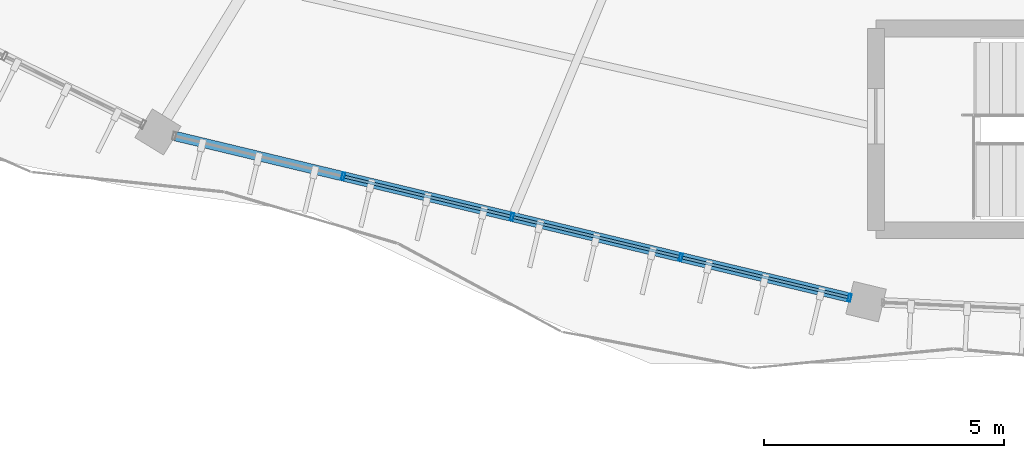
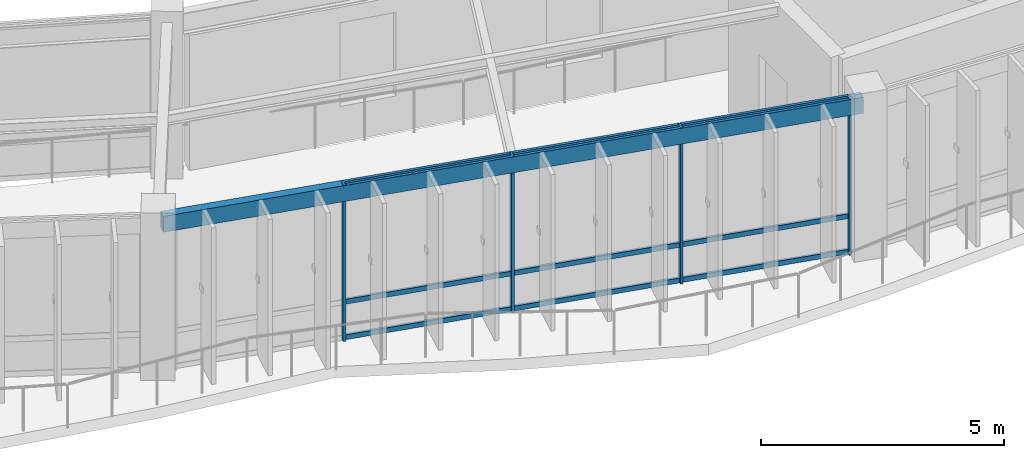
# One storey, part 25 of 138: 13 members, 1 beam, 1 element without a shape of its own.
"""IFC4 building model written with IfcOpenShell, lengths in metres."""

import ifcopenshell
import ifcopenshell.guid

model = None  # the IFC model being written
_history = None  # IfcOwnerHistory: only IFC2X3 demands one
_inside = {}  # id of a spatial element -> (the spatial element, [elements in it])
_under = {}  # id of a project, library or spatial element -> (it, [spatial elements below it])
_declared = {}  # id of a project -> (the project, [libraries it declares])
_typed = {}  # id of a type object -> (the type object, [elements of that type])
_made_of = {}  # id of a material, layer set ... -> (it, [elements and type objects made of it])


def new_model(schema):
    """Start an empty IFC model of exactly this schema.

    Asked for "IFC4X3", IfcOpenShell would pick the latest addendum, in which some entities
    have other attributes; the version numbers below select the first issue.
    IFC2X3 requires an IfcOwnerHistory on every rooted entity: one is made here for all.
    """
    global model, _history
    if schema == "IFC4X3":
        model = ifcopenshell.file(schema_version=(4, 3, 0, 0))
    else:
        model = ifcopenshell.file(schema=schema)
    _inside.clear()
    _under.clear()
    _declared.clear()
    _typed.clear()
    _made_of.clear()
    _history = None
    if model.schema == "IFC2X3":
        org = make("IfcOrganization", Name="unknown")
        user = make(
            "IfcPersonAndOrganization",
            ThePerson=make("IfcPerson", FamilyName="unknown"),
            TheOrganization=org,
        )
        app = make(
            "IfcApplication",
            ApplicationDeveloper=org,
            Version="unknown",
            ApplicationFullName="unknown",
            ApplicationIdentifier="unknown",
        )
        _history = make(
            "IfcOwnerHistory",
            OwningUser=user,
            OwningApplication=app,
            ChangeAction="ADDED",
            CreationDate=0,
        )
    return model


def make(cls, **values):
    """One entity of the class cls with the attributes given. An attribute that is None is left unset."""
    return model.create_entity(
        cls, **{name: value for name, value in values.items() if value is not None}
    )


def rooted(cls, **values):
    """An entity with a GlobalId (a new one), such as an element, a storey or a relation."""
    return make(cls, GlobalId=ifcopenshell.guid.new(), OwnerHistory=_history, **values)


def si_unit(unit_type, name, prefix=None):
    """IfcSIUnit, for example si_unit("LENGTHUNIT", "METRE", prefix="MILLI")."""
    return make("IfcSIUnit", UnitType=unit_type, Prefix=prefix, Name=name)


def assignment(units):
    """IfcUnitAssignment: the units of a project."""
    return None if units is None else make("IfcUnitAssignment", Units=units)


def point(xyz):
    """IfcCartesianPoint."""
    return None if xyz is None else make("IfcCartesianPoint", Coordinates=xyz)


def direction(xyz):
    """IfcDirection."""
    return None if xyz is None else make("IfcDirection", DirectionRatios=xyz)


def frame(location, z_axis=None, x_axis=None):
    """IfcAxis2Placement3D, a coordinate frame: its origin and axes. An axis left out is left unset."""
    return make(
        "IfcAxis2Placement3D",
        Location=point(location),
        Axis=direction(z_axis),
        RefDirection=direction(x_axis),
    )


def frame_2d(location, x_axis=None):
    """IfcAxis2Placement2D, a coordinate frame in the plane: its origin and x axis."""
    return make(
        "IfcAxis2Placement2D", Location=point(location), RefDirection=direction(x_axis)
    )


def origin():
    """The frame at (0, 0, 0) with its axes left unset."""
    return frame((0.0, 0.0, 0.0))


def origin_2d():
    """The frame at (0, 0) in the plane with its x axis left unset."""
    return frame_2d((0.0, 0.0))


def place(relative_to, where):
    """IfcLocalPlacement: puts the frame where relative to a parent placement (None: the world)."""
    return make(
        "IfcLocalPlacement", PlacementRelTo=relative_to, RelativePlacement=where
    )


def context(
    kind, dimensions, precision=None, world=None, true_north=None, identifier=None
):
    """IfcGeometricRepresentationContext, for example the 3D "Model" context."""
    return make(
        "IfcGeometricRepresentationContext",
        ContextIdentifier=identifier,
        ContextType=kind,
        CoordinateSpaceDimension=dimensions,
        Precision=precision,
        WorldCoordinateSystem=world,
        TrueNorth=true_north,
    )


def subcontext(parent, identifier, kind, view, scale=None):
    """IfcGeometricRepresentationSubContext, for example "Body" below "Model"."""
    return make(
        "IfcGeometricRepresentationSubContext",
        ContextIdentifier=identifier,
        ContextType=kind,
        ParentContext=parent,
        TargetScale=scale,
        TargetView=view,
    )


def project(units=None, contexts=None):
    """IfcProject with its units and contexts."""
    return rooted(
        "IfcProject",
        Name="project",
        RepresentationContexts=contexts,
        UnitsInContext=assignment(units),
    )


def spatial(cls, under=None, at=None, **own):
    """A site, building, storey or space (cls), placed at a placement, below another one or the project."""
    s = rooted(cls, ObjectPlacement=at, **own)
    if under is not None:
        _under.setdefault(under.id(), (under, []))[1].append(s)
    return s


def profile(cls, at=None, kind="AREA", **sizes):
    """A parametric profile (cls). Its sizes go by their IFC names, for example OverallWidth=200.0."""
    return make(cls, ProfileType=kind, Position=at, **sizes)


def hollow_rectangle(**sizes):
    """IfcRectangleHollowProfileDef."""
    return profile("IfcRectangleHollowProfileDef", **sizes)


def extrude(swept, where, along, depth):
    """IfcExtrudedAreaSolid: the profile swept, set in the frame where, extruded along a direction by depth."""
    return make(
        "IfcExtrudedAreaSolid",
        SweptArea=swept,
        Position=where,
        ExtrudedDirection=direction(along),
        Depth=depth,
    )


def shape(context_of_items, identifier, shape_type, items):
    """IfcShapeRepresentation: the items that make up one representation, for example the "Body"."""
    return make(
        "IfcShapeRepresentation",
        ContextOfItems=context_of_items,
        RepresentationIdentifier=identifier,
        RepresentationType=shape_type,
        Items=items,
    )


def material(Name=None, Category=None):
    """IfcMaterial."""
    return make("IfcMaterial", Name=Name, Category=Category)


def material_profile(
    of_material, cross_section, Name=None, Category=None, Priority=None
):
    """IfcMaterialProfile: a cross section and its material."""
    return make(
        "IfcMaterialProfile",
        Name=Name,
        Material=of_material,
        Profile=cross_section,
        Priority=Priority,
        Category=Category,
    )


def profile_set(profiles, Name=None, composite=None):
    """IfcMaterialProfileSet."""
    return make(
        "IfcMaterialProfileSet",
        Name=Name,
        MaterialProfiles=profiles,
        CompositeProfile=composite,
    )


def made_of(thing, what):
    """Note that an element or type object is made of a material, layer set ...; save() writes the relation."""
    if what is not None:
        _made_of.setdefault(what.id(), (what, []))[1].append(thing)
    return thing


def type_object(cls, material=None, **own):
    """A type object (cls), such as IfcWallType, which elements share."""
    return made_of(rooted(cls, **own), material)


def element(
    cls,
    number,
    at=None,
    inside=None,
    cuts=None,
    type_object=None,
    material=None,
    context=None,
    identifier="Body",
    shape_type=None,
    held_by="IfcProductDefinitionShape",
    body=None,
    shapes=None,
    **own,
):
    """One element of the class cls, such as IfcWall. Its Tag is "e" and its number.

    at: its placement. inside: the storey or other place that contains it. cuts: it is an
    opening in that element (IfcRelVoidsElement). A single representation is given by context,
    identifier, shape_type and body (its items); several are given by shapes. held_by: the class
    of the entity that holds the representations. save() writes the other relations.
    """
    e = rooted(cls, Tag="e%d" % number, ObjectPlacement=at, **own)
    if body is not None:
        shapes = [shape(context, identifier, shape_type, body)]
    if shapes is not None:
        e.Representation = make(held_by, Representations=shapes)
    if inside is not None:
        _inside.setdefault(inside.id(), (inside, []))[1].append(e)
    if cuts is not None:
        rooted(
            "IfcRelVoidsElement", RelatingBuildingElement=cuts, RelatedOpeningElement=e
        )
    if type_object is not None:
        _typed.setdefault(type_object.id(), (type_object, []))[1].append(e)
    return made_of(e, material)


def aggregate(whole, parts):
    """IfcRelAggregates: a whole, such as a stair, and the parts it consists of."""
    return rooted("IfcRelAggregates", RelatingObject=whole, RelatedObjects=parts)


def save(model, path):
    """Write the relations noted so far, then the file.

    IfcRelAggregates (storeys below a building ...), IfcRelContainedInSpatialStructure (elements
    in a storey), IfcRelDefinesByType, IfcRelAssociatesMaterial and IfcRelDeclares: one each for
    every whole, place, type object, material and project.
    """
    for whole, parts in _under.values():
        aggregate(whole, parts)
    for where, things in _inside.values():
        rooted(
            "IfcRelContainedInSpatialStructure",
            RelatedElements=things,
            RelatingStructure=where,
        )
    for kind, things in _typed.values():
        rooted("IfcRelDefinesByType", RelatedObjects=things, RelatingType=kind)
    for what, things in _made_of.values():
        rooted("IfcRelAssociatesMaterial", RelatedObjects=things, RelatingMaterial=what)
    for by, libraries in _declared.values():
        rooted("IfcRelDeclares", RelatingContext=by, RelatedDefinitions=libraries)
    model.write(path)


model = new_model("IFC4")

# Units and contexts
model_context = context("Model", 3, precision=1e-05, world=origin(), true_north=direction((0.0, 1.0)))
body_context = subcontext(model_context, "Body", "Model", "MODEL_VIEW")
ifc_project = project(units=[si_unit("LENGTHUNIT", "METRE"), si_unit("AREAUNIT", "SQUARE_METRE"), si_unit("VOLUMEUNIT", "CUBIC_METRE"), si_unit("PLANEANGLEUNIT", "RADIAN"), si_unit("MASSUNIT", "GRAM", prefix="KILO"), si_unit("THERMODYNAMICTEMPERATUREUNIT", "KELVIN"), si_unit("POWERUNIT", "WATT")], contexts=[model_context])

# Site, building, storey
site_placement = place(None, origin())
site = spatial("IfcSite", under=ifc_project, at=site_placement, CompositionType="ELEMENT")
building_placement = place(site_placement, origin())
building = spatial("IfcBuilding", under=site, at=building_placement, Name="Darbajah Civic Hall", CompositionType="ELEMENT")
storey_placement = place(building_placement, frame((0.0, 0.0, 9.60009765625)))
storey = spatial("IfcBuildingStorey", under=building, at=storey_placement, Name="L02", CompositionType="ELEMENT", Elevation=9.60009765625)

# Curtain wall, members
ifc_material_1 = material(Name="Anodised Bronze Aluminium and Low-E Glazing", Category="aluminium")
curtain_wall_type = type_object("IfcCurtainWallType", Name="Unitised Curtain Wall CW-48 14500x3900", PredefinedType="USERDEFINED", material=ifc_material_1)
curtain_wall_placement = place(storey_placement, origin())
curtain_wall = element("IfcCurtainWall", 1, at=curtain_wall_placement, inside=storey, type_object=curtain_wall_type, Name="L02 unitised curtain wall CW-V1O-L02-13", ObjectType="UNITISED CURTAIN WALL", PredefinedType="USERDEFINED")
ifc_material_2 = material(Name="Anodised Bronze Aluminium", Category="aluminium")
ifc_material_profile_1 = material_profile(ifc_material_2, hollow_rectangle(XDim=0.06005859375, YDim=0.159912109375, WallThickness=0.00341796875, at=origin_2d()), Name="ALU MULLION 60x160")
ifc_profile_set_1 = profile_set([ifc_material_profile_1], Name="Anodised Bronze Aluminium")
member_type_1 = type_object("IfcMemberType", Name="ALU MULLION 60x160", PredefinedType="MULLION", material=ifc_profile_set_1)
member_1_placement = place(storey_placement, frame((66.30908203125, 63.72314453125, 0.0), z_axis=(0.0, 0.0, 1.0), x_axis=(0.972492018808, -0.232936200179, 0.0)))
member_1 = element("IfcMember", 2, at=member_1_placement, type_object=member_type_1, Name="CW-V1O-L02-13 mullion 2", PredefinedType="MULLION", context=body_context, shape_type="SweptSolid", body=[
    extrude(hollow_rectangle(XDim=0.06005859375, YDim=0.159912109375, WallThickness=0.00341796875, at=origin_2d()), origin(), (0.0, 0.0, 1.0), 3.919921875),
])
member_2_placement = place(storey_placement, frame((69.823486328125, 62.881103515625, 0.0), z_axis=(0.0, 0.0, 1.0), x_axis=(0.972492018808, -0.232936200179, 0.0)))
member_2 = element("IfcMember", 3, at=member_2_placement, type_object=member_type_1, Name="CW-V1O-L02-13 mullion 3", PredefinedType="MULLION", context=body_context, shape_type="SweptSolid", body=[
    extrude(hollow_rectangle(XDim=0.06005859375, YDim=0.159912109375, WallThickness=0.00341796875, at=origin_2d()), origin(), (0.0, 0.0, 1.0), 3.919921875),
])
member_3_placement = place(storey_placement, frame((73.337646484375, 62.0390625, 0.0), z_axis=(0.0, 0.0, 1.0), x_axis=(0.972492018808, -0.232936200179, 0.0)))
member_3 = element("IfcMember", 4, at=member_3_placement, type_object=member_type_1, Name="CW-V1O-L02-13 mullion 4", PredefinedType="MULLION", context=body_context, shape_type="SweptSolid", body=[
    extrude(hollow_rectangle(XDim=0.06005859375, YDim=0.159912109375, WallThickness=0.00341796875, at=origin_2d()), origin(), (0.0, 0.0, 1.0), 3.919921875),
])
member_4_placement = place(storey_placement, frame((76.85205078125, 61.197021484375, 0.0), z_axis=(0.0, 0.0, 1.0), x_axis=(0.972492018808, -0.232936200179, 0.0)))
member_4 = element("IfcMember", 5, at=member_4_placement, type_object=member_type_1, Name="CW-V1O-L02-13 mullion 5", PredefinedType="MULLION", context=body_context, shape_type="SweptSolid", body=[
    extrude(hollow_rectangle(XDim=0.06005859375, YDim=0.159912109375, WallThickness=0.00341796875, at=origin_2d()), origin(), (0.0, 0.0, 1.0), 3.919921875),
])
ifc_material_profile_2 = material_profile(ifc_material_2, hollow_rectangle(XDim=0.06005859375, YDim=0.1201171875, WallThickness=0.003173828125, at=origin_2d()), Name="ALU TRANSOM 60x120")
ifc_profile_set_2 = profile_set([ifc_material_profile_2], Name="Anodised Bronze Aluminium")
member_type_2 = type_object("IfcMemberType", Name="ALU TRANSOM 60x120", PredefinedType="USERDEFINED", material=ifc_profile_set_2)
member_5_placement = place(storey_placement, frame((66.34326171875, 63.71484375, 0.059814453125), z_axis=(0.972490397057, -0.232942970772, 0.0), x_axis=(0.232942970772, 0.972490397057, 0.0)))
member_5 = element("IfcMember", 6, at=member_5_placement, type_object=member_type_2, Name="CW-V1O-L02-13 transom 2.1", ObjectType="TRANSOM", PredefinedType="USERDEFINED", context=body_context, shape_type="SweptSolid", body=[
    extrude(hollow_rectangle(XDim=0.06005859375, YDim=0.1201171875, WallThickness=0.003173828125, at=origin_2d()), origin(), (0.0, 0.0, 1.0), 3.54345703125),
])
member_6_placement = place(storey_placement, frame((66.34326171875, 63.71484375, 0.949951171875), z_axis=(0.972490397057, -0.232942970772, 0.0), x_axis=(0.232942970772, 0.972490397057, 0.0)))
member_6 = element("IfcMember", 7, at=member_6_placement, type_object=member_type_2, Name="CW-V1O-L02-13 transom 2.2", ObjectType="TRANSOM", PredefinedType="USERDEFINED", context=body_context, shape_type="SweptSolid", body=[
    extrude(hollow_rectangle(XDim=0.06005859375, YDim=0.1201171875, WallThickness=0.003173828125, at=origin_2d()), origin(), (0.0, 0.0, 1.0), 3.54345703125),
])
member_7_placement = place(storey_placement, frame((66.34326171875, 63.71484375, 3.85986328125), z_axis=(0.972490397057, -0.232942970772, 0.0), x_axis=(0.232942970772, 0.972490397057, 0.0)))
member_7 = element("IfcMember", 8, at=member_7_placement, type_object=member_type_2, Name="CW-V1O-L02-13 transom 2.3", ObjectType="TRANSOM", PredefinedType="USERDEFINED", context=body_context, shape_type="SweptSolid", body=[
    extrude(hollow_rectangle(XDim=0.06005859375, YDim=0.1201171875, WallThickness=0.003173828125, at=origin_2d()), origin(), (0.0, 0.0, 1.0), 3.54345703125),
])
member_8_placement = place(storey_placement, frame((69.857421875, 62.872802734375, 0.059814453125), z_axis=(0.972494135235, -0.232927364071, 0.0), x_axis=(0.232927364071, 0.972494135235, 0.0)))
member_8 = element("IfcMember", 9, at=member_8_placement, type_object=member_type_2, Name="CW-V1O-L02-13 transom 3.1", ObjectType="TRANSOM", PredefinedType="USERDEFINED", context=body_context, shape_type="SweptSolid", body=[
    extrude(hollow_rectangle(XDim=0.06005859375, YDim=0.1201171875, WallThickness=0.003173828125, at=origin_2d()), origin(), (0.0, 0.0, 1.0), 3.543701171875),
])
member_9_placement = place(storey_placement, frame((69.857421875, 62.872802734375, 0.949951171875), z_axis=(0.972494135235, -0.232927364071, 0.0), x_axis=(0.232927364071, 0.972494135235, 0.0)))
member_9 = element("IfcMember", 10, at=member_9_placement, type_object=member_type_2, Name="CW-V1O-L02-13 transom 3.2", ObjectType="TRANSOM", PredefinedType="USERDEFINED", context=body_context, shape_type="SweptSolid", body=[
    extrude(hollow_rectangle(XDim=0.06005859375, YDim=0.1201171875, WallThickness=0.003173828125, at=origin_2d()), origin(), (0.0, 0.0, 1.0), 3.543701171875),
])
member_10_placement = place(storey_placement, frame((69.857421875, 62.872802734375, 3.85986328125), z_axis=(0.972494135235, -0.232927364071, 0.0), x_axis=(0.232927364071, 0.972494135235, 0.0)))
member_10 = element("IfcMember", 11, at=member_10_placement, type_object=member_type_2, Name="CW-V1O-L02-13 transom 3.3", ObjectType="TRANSOM", PredefinedType="USERDEFINED", context=body_context, shape_type="SweptSolid", body=[
    extrude(hollow_rectangle(XDim=0.06005859375, YDim=0.1201171875, WallThickness=0.003173828125, at=origin_2d()), origin(), (0.0, 0.0, 1.0), 3.543701171875),
])
member_11_placement = place(storey_placement, frame((73.371826171875, 62.031005859375, 0.059814453125), z_axis=(0.972478527618, -0.232992517739, 0.0), x_axis=(0.232992517739, 0.972478527618, 0.0)))
member_11 = element("IfcMember", 12, at=member_11_placement, type_object=member_type_2, Name="CW-V1O-L02-13 transom 4.1", ObjectType="TRANSOM", PredefinedType="USERDEFINED", context=body_context, shape_type="SweptSolid", body=[
    extrude(hollow_rectangle(XDim=0.06005859375, YDim=0.1201171875, WallThickness=0.003173828125, at=origin_2d()), origin(), (0.0, 0.0, 1.0), 3.543701171875),
])
member_12_placement = place(storey_placement, frame((73.371826171875, 62.031005859375, 0.949951171875), z_axis=(0.972478527618, -0.232992517739, 0.0), x_axis=(0.232992517739, 0.972478527618, 0.0)))
member_12 = element("IfcMember", 13, at=member_12_placement, type_object=member_type_2, Name="CW-V1O-L02-13 transom 4.2", ObjectType="TRANSOM", PredefinedType="USERDEFINED", context=body_context, shape_type="SweptSolid", body=[
    extrude(hollow_rectangle(XDim=0.06005859375, YDim=0.1201171875, WallThickness=0.003173828125, at=origin_2d()), origin(), (0.0, 0.0, 1.0), 3.543701171875),
])
member_13_placement = place(storey_placement, frame((73.371826171875, 62.031005859375, 3.85986328125), z_axis=(0.972478527618, -0.232992517739, 0.0), x_axis=(0.232992517739, 0.972478527618, 0.0)))
member_13 = element("IfcMember", 14, at=member_13_placement, type_object=member_type_2, Name="CW-V1O-L02-13 transom 4.3", ObjectType="TRANSOM", PredefinedType="USERDEFINED", context=body_context, shape_type="SweptSolid", body=[
    extrude(hollow_rectangle(XDim=0.06005859375, YDim=0.1201171875, WallThickness=0.003173828125, at=origin_2d()), origin(), (0.0, 0.0, 1.0), 3.543701171875),
])
aggregate(curtain_wall, [member_1, member_2, member_3, member_4, member_5, member_6, member_7, member_8, member_9, member_10, member_11, member_12, member_13])

# Beam
ifc_material_3 = material(Name="Steel S355JR", Category="steel")
ifc_material_profile_3 = material_profile(ifc_material_3, hollow_rectangle(XDim=0.199951171875, YDim=0.39990234375, WallThickness=0.013916015625, at=origin_2d()), Name="RHS 400x200x14")
ifc_profile_set_3 = profile_set([ifc_material_profile_3], Name="Steel S355JR")
beam_type = type_object("IfcBeamType", Name="RHS 400x200x14", PredefinedType="SPANDREL", material=ifc_profile_set_3)
beam_placement = place(storey_placement, frame((62.530517578125, 64.62841796875, 3.719970703125), z_axis=(0.972477948632, -0.232994934332, 0.0), x_axis=(0.232994934332, 0.972477948632, 0.0)))
element("IfcBeam", 15, at=beam_placement, inside=storey, type_object=beam_type, Name="L02 beam SP-RHS400", PredefinedType="SPANDREL", context=body_context, shape_type="SweptSolid", body=[
    extrude(hollow_rectangle(XDim=0.199951171875, YDim=0.39990234375, WallThickness=0.013916015625, at=origin_2d()), origin(), (0.0, 0.0, 1.0), 14.998779296875),
])

save(model, "model.ifc")
